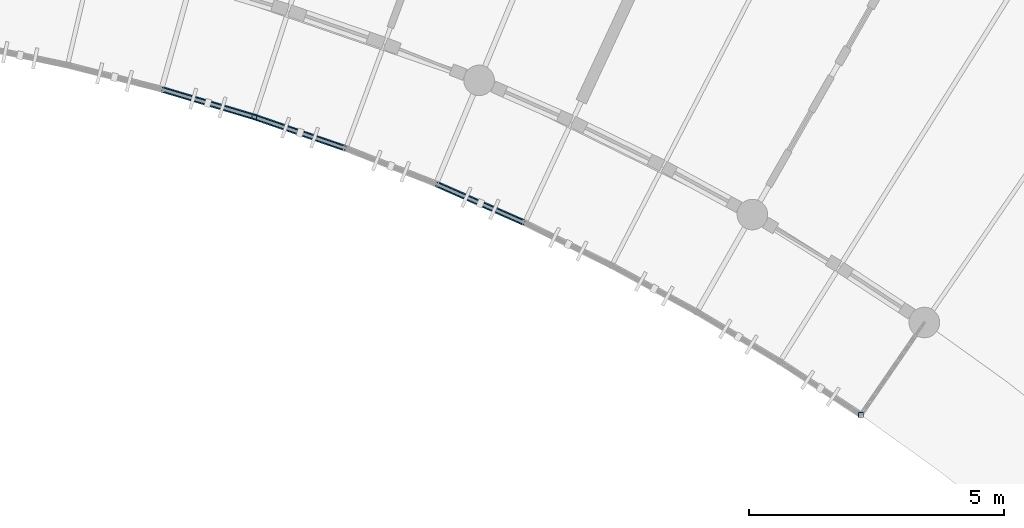
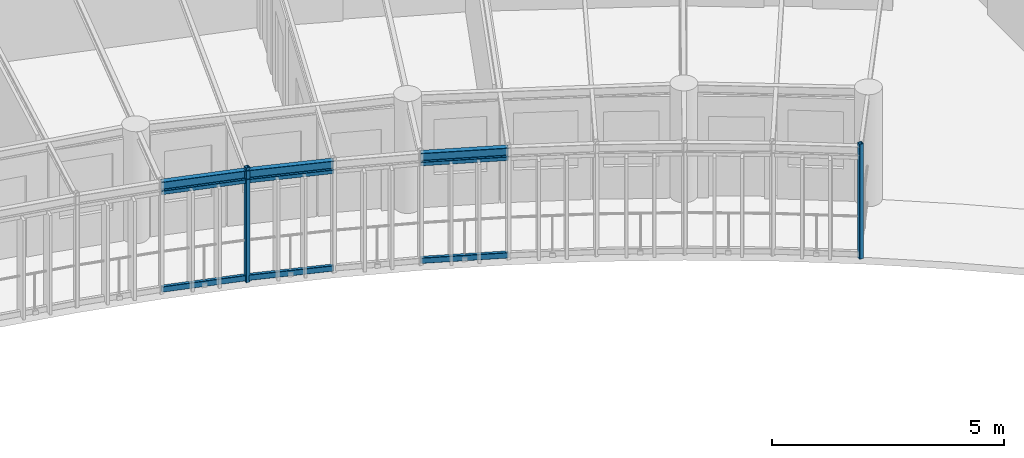
# One storey, part 37 of 100: 8 members, 3 beams.
"""IFC4 building model written with IfcOpenShell, lengths in metres."""

from ifc_helpers import new_model, si_unit, direction, frame, origin, origin_2d, place, context, subcontext, project, spatial, hollow_rectangle, i_section, extrude, material, material_profile, profile_set, type_object, element, save


model = new_model("IFC4")

# Units and contexts
model_context = context("Model", 3, precision=1e-05, world=origin(), true_north=direction((0.0, 1.0)))
body_context = subcontext(model_context, "Body", "Model", "MODEL_VIEW")
ifc_project = project(units=[si_unit("LENGTHUNIT", "METRE"), si_unit("AREAUNIT", "SQUARE_METRE"), si_unit("VOLUMEUNIT", "CUBIC_METRE"), si_unit("PLANEANGLEUNIT", "RADIAN"), si_unit("MASSUNIT", "GRAM", prefix="KILO"), si_unit("POWERUNIT", "WATT"), si_unit("THERMODYNAMICTEMPERATUREUNIT", "KELVIN")], contexts=[model_context])

# Site, building, storey
site_placement = place(None, origin())
site = spatial("IfcSite", under=ifc_project, at=site_placement, CompositionType="ELEMENT")
building_placement = place(site_placement, origin())
building = spatial("IfcBuilding", under=site, at=building_placement, Name="Ruvembo Vaulted Housing Court", CompositionType="ELEMENT")
storey_placement = place(building_placement, frame((0.0, 0.0, 14.10009765625)))
storey = spatial("IfcBuildingStorey", under=building, at=storey_placement, Name="L04", CompositionType="ELEMENT", Elevation=14.10009765625)

# Beams
ifc_material = material(Name="Steel S355J2", Category="steel")
ifc_material_profile_1 = material_profile(ifc_material, i_section(OverallWidth=0.1201171875, OverallDepth=0.239990234375, WebThickness=0.006103515625, FlangeThickness=0.009765625, FilletRadius=0.014892578125, at=origin_2d()), Name="IPE 240")
ifc_profile_set_1 = profile_set([ifc_material_profile_1], Name="Steel S355J2")
beam_type = type_object("IfcBeamType", Name="BM-ST-IPE240", PredefinedType="BEAM", material=ifc_profile_set_1)
beam_1_placement = place(storey_placement, frame((129.208251953125, 94.142822265625, 2.81982421875), z_axis=(0.958108609181, -0.286405120439, 0.0), x_axis=(0.286405120439, 0.958108609181, 0.0)))
element("IfcBeam", 1, at=beam_1_placement, inside=storey, type_object=beam_type, Name="Scoop SC3 L04 Balcony Edge Spandrel 21", PredefinedType="BEAM", context=body_context, shape_type="SweptSolid", body=[
    extrude(i_section(OverallWidth=0.1201171875, OverallDepth=0.239990234375, WebThickness=0.006103515625, FlangeThickness=0.009765625, FilletRadius=0.014892578125, at=origin_2d()), origin(), (0.0, 0.0, 1.0), 1.90087890625),
])
beam_2_placement = place(storey_placement, frame((131.029541015625, 93.598388671875, 2.81982421875), z_axis=(0.945357969834, -0.326034214264, 0.0), x_axis=(0.326034214264, 0.945357969834, 0.0)))
element("IfcBeam", 2, at=beam_2_placement, inside=storey, type_object=beam_type, Name="Scoop SC3 L04 Balcony Edge Spandrel 22", PredefinedType="BEAM", context=body_context, shape_type="SweptSolid", body=[
    extrude(i_section(OverallWidth=0.1201171875, OverallDepth=0.239990234375, WebThickness=0.006103515625, FlangeThickness=0.009765625, FilletRadius=0.014892578125, at=origin_2d()), origin(), (0.0, 0.0, 1.0), 1.9013671875),
])
beam_3_placement = place(storey_placement, frame((134.5966796875, 92.28466796875, 2.81982421875), z_axis=(0.91507815309, -0.403276547467, 0.0), x_axis=(0.403276547467, 0.91507815309, 0.0)))
element("IfcBeam", 3, at=beam_3_placement, inside=storey, type_object=beam_type, Name="Scoop SC3 L04 Balcony Edge Spandrel 24", PredefinedType="BEAM", context=body_context, shape_type="SweptSolid", body=[
    extrude(i_section(OverallWidth=0.1201171875, OverallDepth=0.239990234375, WebThickness=0.006103515625, FlangeThickness=0.009765625, FilletRadius=0.014892578125, at=origin_2d()), origin(), (0.0, 0.0, 1.0), 1.90087890625),
])

# Members
ifc_material_profile_2 = material_profile(ifc_material, hollow_rectangle(XDim=0.06005859375, YDim=0.1201171875, WallThickness=0.0048828125, InnerFilletRadius=0.0048828125, OuterFilletRadius=0.010009765625, at=origin_2d()), Name="RHS 120x60x5")
ifc_profile_set_2 = profile_set([ifc_material_profile_2], Name="Steel S355J2")
member_type_1 = type_object("IfcMemberType", Name="MEM-CAR-RHS120", PredefinedType="CHORD", material=ifc_profile_set_2)
member_1_placement = place(storey_placement, frame((129.208251953125, 94.142822265625, 2.642822265625), z_axis=(0.958108609181, -0.286405120439, 0.0), x_axis=(0.286405120439, 0.958108609181, 0.0)))
element("IfcMember", 4, at=member_1_placement, inside=storey, type_object=member_type_1, Name="Scoop SC3 L04 Upper Louvre Carrier Rail 21", PredefinedType="CHORD", context=body_context, shape_type="SweptSolid", body=[
    extrude(hollow_rectangle(XDim=0.06005859375, YDim=0.1201171875, WallThickness=0.0048828125, InnerFilletRadius=0.0048828125, OuterFilletRadius=0.010009765625, at=origin_2d()), origin(), (0.0, 0.0, 1.0), 1.90087890625),
])
member_2_placement = place(storey_placement, frame((131.029541015625, 93.598388671875, 2.642822265625), z_axis=(0.945357969834, -0.326034214264, 0.0), x_axis=(0.326034214264, 0.945357969834, 0.0)))
element("IfcMember", 5, at=member_2_placement, inside=storey, type_object=member_type_1, Name="Scoop SC3 L04 Upper Louvre Carrier Rail 22", PredefinedType="CHORD", context=body_context, shape_type="SweptSolid", body=[
    extrude(hollow_rectangle(XDim=0.06005859375, YDim=0.1201171875, WallThickness=0.0048828125, InnerFilletRadius=0.0048828125, OuterFilletRadius=0.010009765625, at=origin_2d()), origin(), (0.0, 0.0, 1.0), 1.9013671875),
])
member_3_placement = place(storey_placement, frame((134.5966796875, 92.28466796875, 2.642822265625), z_axis=(0.91507815309, -0.403276547467, 0.0), x_axis=(0.403276547467, 0.91507815309, 0.0)))
element("IfcMember", 6, at=member_3_placement, inside=storey, type_object=member_type_1, Name="Scoop SC3 L04 Upper Louvre Carrier Rail 24", PredefinedType="CHORD", context=body_context, shape_type="SweptSolid", body=[
    extrude(hollow_rectangle(XDim=0.06005859375, YDim=0.1201171875, WallThickness=0.0048828125, InnerFilletRadius=0.0048828125, OuterFilletRadius=0.010009765625, at=origin_2d()), origin(), (0.0, 0.0, 1.0), 1.90087890625),
])
ifc_material_profile_3 = material_profile(ifc_material, hollow_rectangle(XDim=0.080078125, YDim=0.14990234375, WallThickness=0.00634765625, InnerFilletRadius=0.00634765625, OuterFilletRadius=0.0126953125, at=origin_2d()), Name="RHS 150x80x6.3")
ifc_profile_set_3 = profile_set([ifc_material_profile_3], Name="Steel S355J2")
member_type_2 = type_object("IfcMemberType", Name="MEM-CAR-RHS150", PredefinedType="CHORD", material=ifc_profile_set_3)
member_4_placement = place(storey_placement, frame((129.208251953125, 94.142822265625, 0.094970703125), z_axis=(0.958108609181, -0.286405120439, 0.0), x_axis=(0.286405120439, 0.958108609181, 0.0)))
element("IfcMember", 7, at=member_4_placement, inside=storey, type_object=member_type_2, Name="Scoop SC3 L04 Lower Louvre Carrier Rail 21", PredefinedType="CHORD", context=body_context, shape_type="SweptSolid", body=[
    extrude(hollow_rectangle(XDim=0.080078125, YDim=0.14990234375, WallThickness=0.00634765625, InnerFilletRadius=0.00634765625, OuterFilletRadius=0.0126953125, at=origin_2d()), origin(), (0.0, 0.0, 1.0), 1.90087890625),
])
member_5_placement = place(storey_placement, frame((131.029541015625, 93.598388671875, 0.094970703125), z_axis=(0.945357969834, -0.326034214264, 0.0), x_axis=(0.326034214264, 0.945357969834, 0.0)))
element("IfcMember", 8, at=member_5_placement, inside=storey, type_object=member_type_2, Name="Scoop SC3 L04 Lower Louvre Carrier Rail 22", PredefinedType="CHORD", context=body_context, shape_type="SweptSolid", body=[
    extrude(hollow_rectangle(XDim=0.080078125, YDim=0.14990234375, WallThickness=0.00634765625, InnerFilletRadius=0.00634765625, OuterFilletRadius=0.0126953125, at=origin_2d()), origin(), (0.0, 0.0, 1.0), 1.9013671875),
])
member_6_placement = place(storey_placement, frame((134.5966796875, 92.28466796875, 0.094970703125), z_axis=(0.91507815309, -0.403276547467, 0.0), x_axis=(0.403276547467, 0.91507815309, 0.0)))
element("IfcMember", 9, at=member_6_placement, inside=storey, type_object=member_type_2, Name="Scoop SC3 L04 Lower Louvre Carrier Rail 24", PredefinedType="CHORD", context=body_context, shape_type="SweptSolid", body=[
    extrude(hollow_rectangle(XDim=0.080078125, YDim=0.14990234375, WallThickness=0.00634765625, InnerFilletRadius=0.00634765625, OuterFilletRadius=0.0126953125, at=origin_2d()), origin(), (0.0, 0.0, 1.0), 1.90087890625),
])
ifc_material_profile_4 = material_profile(ifc_material, hollow_rectangle(XDim=0.10009765625, YDim=0.10009765625, WallThickness=0.00634765625, InnerFilletRadius=0.00634765625, OuterFilletRadius=0.0126953125, at=origin_2d()), Name="SHS 100x100x6.3")
ifc_profile_set_4 = profile_set([ifc_material_profile_4], Name="Steel S355J2")
member_type_3 = type_object("IfcMemberType", Name="MEM-FRM-SHS100", PredefinedType="STRUT", material=ifc_profile_set_4)
for number, where, z_axis, x_axis, name in (
    (10, (131.029541015625, 93.598388671875, -0.01513671875), (0.0, 0.0, 1.0), (1.0, 0.0, 0.0), "Scoop SC3 L04 Louvre Frame Post 22"),
    (11, (142.9326171875, 87.751220703125, -0.01513671875), (0.0, 0.0, 1.0), (1.0, 0.0, 0.0), "Scoop SC3 L04 Louvre End Post"),
):
    element("IfcMember", number, at=place(storey_placement, frame(where, z_axis=z_axis, x_axis=x_axis)), inside=storey, type_object=member_type_3, Name=name, PredefinedType="STRUT", context=body_context, shape_type="SweptSolid", body=[
        extrude(hollow_rectangle(XDim=0.10009765625, YDim=0.10009765625, WallThickness=0.00634765625, InnerFilletRadius=0.00634765625, OuterFilletRadius=0.0126953125, at=origin_2d()), origin(), (0.0, 0.0, 1.0), 3.02294921875),
    ])

save(model, "model.ifc")
